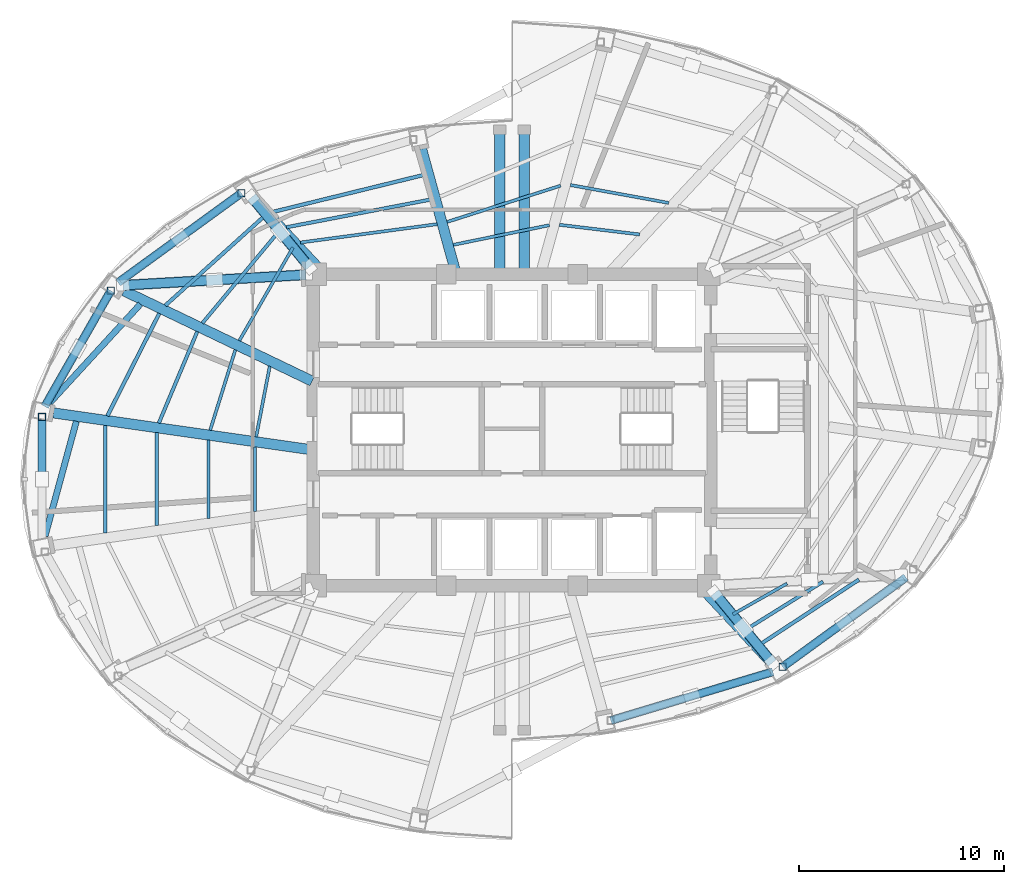
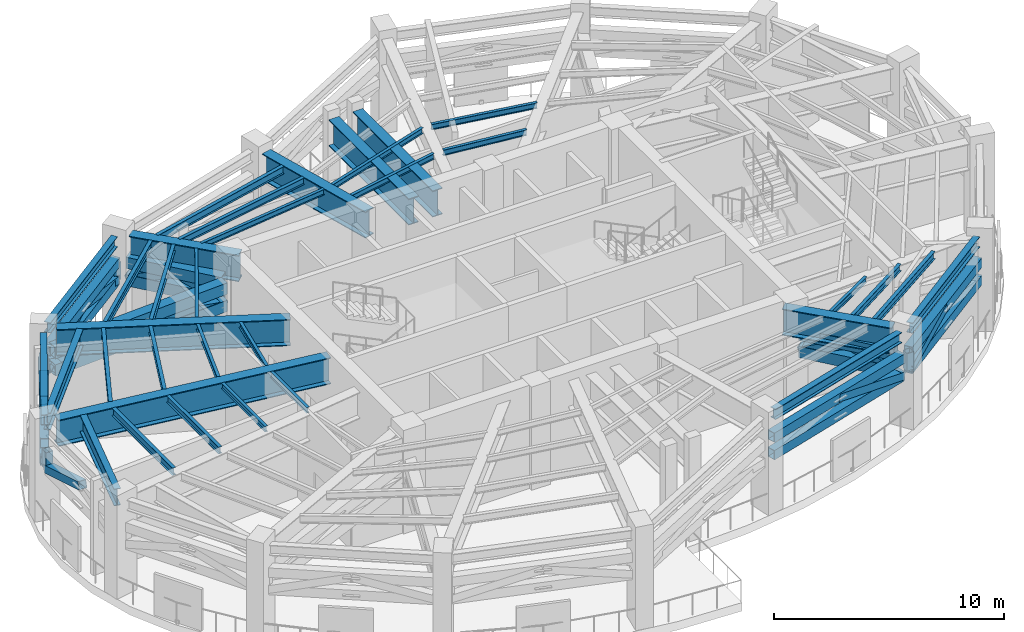
# One storey, part 3 of 12: 34 beams, 31 members.
"""IFC4 building model written with IfcOpenShell, lengths in metres."""

import ifcopenshell
import ifcopenshell.guid

model = None  # the IFC model being written
_history = None  # IfcOwnerHistory: only IFC2X3 demands one
_inside = {}  # id of a spatial element -> (the spatial element, [elements in it])
_under = {}  # id of a project, library or spatial element -> (it, [spatial elements below it])
_declared = {}  # id of a project -> (the project, [libraries it declares])
_typed = {}  # id of a type object -> (the type object, [elements of that type])
_made_of = {}  # id of a material, layer set ... -> (it, [elements and type objects made of it])


def new_model(schema):
    """Start an empty IFC model of exactly this schema.

    Asked for "IFC4X3", IfcOpenShell would pick the latest addendum, in which some entities
    have other attributes; the version numbers below select the first issue.
    IFC2X3 requires an IfcOwnerHistory on every rooted entity: one is made here for all.
    """
    global model, _history
    if schema == "IFC4X3":
        model = ifcopenshell.file(schema_version=(4, 3, 0, 0))
    else:
        model = ifcopenshell.file(schema=schema)
    _inside.clear()
    _under.clear()
    _declared.clear()
    _typed.clear()
    _made_of.clear()
    _history = None
    if model.schema == "IFC2X3":
        org = make("IfcOrganization", Name="unknown")
        user = make(
            "IfcPersonAndOrganization",
            ThePerson=make("IfcPerson", FamilyName="unknown"),
            TheOrganization=org,
        )
        app = make(
            "IfcApplication",
            ApplicationDeveloper=org,
            Version="unknown",
            ApplicationFullName="unknown",
            ApplicationIdentifier="unknown",
        )
        _history = make(
            "IfcOwnerHistory",
            OwningUser=user,
            OwningApplication=app,
            ChangeAction="ADDED",
            CreationDate=0,
        )
    return model


def make(cls, **values):
    """One entity of the class cls with the attributes given. An attribute that is None is left unset."""
    return model.create_entity(
        cls, **{name: value for name, value in values.items() if value is not None}
    )


def rooted(cls, **values):
    """An entity with a GlobalId (a new one), such as an element, a storey or a relation."""
    return make(cls, GlobalId=ifcopenshell.guid.new(), OwnerHistory=_history, **values)


def si_unit(unit_type, name, prefix=None):
    """IfcSIUnit, for example si_unit("LENGTHUNIT", "METRE", prefix="MILLI")."""
    return make("IfcSIUnit", UnitType=unit_type, Prefix=prefix, Name=name)


def assignment(units):
    """IfcUnitAssignment: the units of a project."""
    return None if units is None else make("IfcUnitAssignment", Units=units)


def point(xyz):
    """IfcCartesianPoint."""
    return None if xyz is None else make("IfcCartesianPoint", Coordinates=xyz)


def direction(xyz):
    """IfcDirection."""
    return None if xyz is None else make("IfcDirection", DirectionRatios=xyz)


def frame(location, z_axis=None, x_axis=None):
    """IfcAxis2Placement3D, a coordinate frame: its origin and axes. An axis left out is left unset."""
    return make(
        "IfcAxis2Placement3D",
        Location=point(location),
        Axis=direction(z_axis),
        RefDirection=direction(x_axis),
    )


def frame_2d(location, x_axis=None):
    """IfcAxis2Placement2D, a coordinate frame in the plane: its origin and x axis."""
    return make(
        "IfcAxis2Placement2D", Location=point(location), RefDirection=direction(x_axis)
    )


def origin():
    """The frame at (0, 0, 0) with its axes left unset."""
    return frame((0.0, 0.0, 0.0))


def origin_2d():
    """The frame at (0, 0) in the plane with its x axis left unset."""
    return frame_2d((0.0, 0.0))


def place(relative_to, where):
    """IfcLocalPlacement: puts the frame where relative to a parent placement (None: the world)."""
    return make(
        "IfcLocalPlacement", PlacementRelTo=relative_to, RelativePlacement=where
    )


def context(
    kind, dimensions, precision=None, world=None, true_north=None, identifier=None
):
    """IfcGeometricRepresentationContext, for example the 3D "Model" context."""
    return make(
        "IfcGeometricRepresentationContext",
        ContextIdentifier=identifier,
        ContextType=kind,
        CoordinateSpaceDimension=dimensions,
        Precision=precision,
        WorldCoordinateSystem=world,
        TrueNorth=true_north,
    )


def subcontext(parent, identifier, kind, view, scale=None):
    """IfcGeometricRepresentationSubContext, for example "Body" below "Model"."""
    return make(
        "IfcGeometricRepresentationSubContext",
        ContextIdentifier=identifier,
        ContextType=kind,
        ParentContext=parent,
        TargetScale=scale,
        TargetView=view,
    )


def project(units=None, contexts=None):
    """IfcProject with its units and contexts."""
    return rooted(
        "IfcProject",
        Name="project",
        RepresentationContexts=contexts,
        UnitsInContext=assignment(units),
    )


def spatial(cls, under=None, at=None, **own):
    """A site, building, storey or space (cls), placed at a placement, below another one or the project."""
    s = rooted(cls, ObjectPlacement=at, **own)
    if under is not None:
        _under.setdefault(under.id(), (under, []))[1].append(s)
    return s


def profile(cls, at=None, kind="AREA", **sizes):
    """A parametric profile (cls). Its sizes go by their IFC names, for example OverallWidth=200.0."""
    return make(cls, ProfileType=kind, Position=at, **sizes)


def hollow_rectangle(**sizes):
    """IfcRectangleHollowProfileDef."""
    return profile("IfcRectangleHollowProfileDef", **sizes)


def i_section(**sizes):
    """IfcIShapeProfileDef."""
    return profile("IfcIShapeProfileDef", **sizes)


def extrude(swept, where, along, depth):
    """IfcExtrudedAreaSolid: the profile swept, set in the frame where, extruded along a direction by depth."""
    return make(
        "IfcExtrudedAreaSolid",
        SweptArea=swept,
        Position=where,
        ExtrudedDirection=direction(along),
        Depth=depth,
    )


def shape(context_of_items, identifier, shape_type, items):
    """IfcShapeRepresentation: the items that make up one representation, for example the "Body"."""
    return make(
        "IfcShapeRepresentation",
        ContextOfItems=context_of_items,
        RepresentationIdentifier=identifier,
        RepresentationType=shape_type,
        Items=items,
    )


def material(Name=None, Category=None):
    """IfcMaterial."""
    return make("IfcMaterial", Name=Name, Category=Category)


def material_profile(
    of_material, cross_section, Name=None, Category=None, Priority=None
):
    """IfcMaterialProfile: a cross section and its material."""
    return make(
        "IfcMaterialProfile",
        Name=Name,
        Material=of_material,
        Profile=cross_section,
        Priority=Priority,
        Category=Category,
    )


def profile_set(profiles, Name=None, composite=None):
    """IfcMaterialProfileSet."""
    return make(
        "IfcMaterialProfileSet",
        Name=Name,
        MaterialProfiles=profiles,
        CompositeProfile=composite,
    )


def made_of(thing, what):
    """Note that an element or type object is made of a material, layer set ...; save() writes the relation."""
    if what is not None:
        _made_of.setdefault(what.id(), (what, []))[1].append(thing)
    return thing


def type_object(cls, material=None, **own):
    """A type object (cls), such as IfcWallType, which elements share."""
    return made_of(rooted(cls, **own), material)


def element(
    cls,
    number,
    at=None,
    inside=None,
    cuts=None,
    type_object=None,
    material=None,
    context=None,
    identifier="Body",
    shape_type=None,
    held_by="IfcProductDefinitionShape",
    body=None,
    shapes=None,
    **own,
):
    """One element of the class cls, such as IfcWall. Its Tag is "e" and its number.

    at: its placement. inside: the storey or other place that contains it. cuts: it is an
    opening in that element (IfcRelVoidsElement). A single representation is given by context,
    identifier, shape_type and body (its items); several are given by shapes. held_by: the class
    of the entity that holds the representations. save() writes the other relations.
    """
    e = rooted(cls, Tag="e%d" % number, ObjectPlacement=at, **own)
    if body is not None:
        shapes = [shape(context, identifier, shape_type, body)]
    if shapes is not None:
        e.Representation = make(held_by, Representations=shapes)
    if inside is not None:
        _inside.setdefault(inside.id(), (inside, []))[1].append(e)
    if cuts is not None:
        rooted(
            "IfcRelVoidsElement", RelatingBuildingElement=cuts, RelatedOpeningElement=e
        )
    if type_object is not None:
        _typed.setdefault(type_object.id(), (type_object, []))[1].append(e)
    return made_of(e, material)


def aggregate(whole, parts):
    """IfcRelAggregates: a whole, such as a stair, and the parts it consists of."""
    return rooted("IfcRelAggregates", RelatingObject=whole, RelatedObjects=parts)


def save(model, path):
    """Write the relations noted so far, then the file.

    IfcRelAggregates (storeys below a building ...), IfcRelContainedInSpatialStructure (elements
    in a storey), IfcRelDefinesByType, IfcRelAssociatesMaterial and IfcRelDeclares: one each for
    every whole, place, type object, material and project.
    """
    for whole, parts in _under.values():
        aggregate(whole, parts)
    for where, things in _inside.values():
        rooted(
            "IfcRelContainedInSpatialStructure",
            RelatedElements=things,
            RelatingStructure=where,
        )
    for kind, things in _typed.values():
        rooted("IfcRelDefinesByType", RelatedObjects=things, RelatingType=kind)
    for what, things in _made_of.values():
        rooted("IfcRelAssociatesMaterial", RelatedObjects=things, RelatingMaterial=what)
    for by, libraries in _declared.values():
        rooted("IfcRelDeclares", RelatingContext=by, RelatedDefinitions=libraries)
    model.write(path)


model = new_model("IFC4")

# Units and contexts
model_context = context("Model", 3, precision=1e-05, world=origin(), true_north=direction((0.0, 1.0)))
body_context = subcontext(model_context, "Body", "Model", "MODEL_VIEW")
ifc_project = project(units=[si_unit("LENGTHUNIT", "METRE"), si_unit("AREAUNIT", "SQUARE_METRE"), si_unit("VOLUMEUNIT", "CUBIC_METRE"), si_unit("PLANEANGLEUNIT", "RADIAN"), si_unit("MASSUNIT", "GRAM", prefix="KILO")], contexts=[model_context])

# Site, building, storey
site_placement = place(None, origin())
site = spatial("IfcSite", under=ifc_project, at=site_placement, CompositionType="ELEMENT")
building_placement = place(site_placement, origin())
building = spatial("IfcBuilding", under=site, at=building_placement, Name="Lazwardi Medical Tower", CompositionType="ELEMENT")
storey_placement = place(building_placement, frame((0.0, 0.0, 189.360107421875)))
storey = spatial("IfcBuildingStorey", under=building, at=storey_placement, Name="L49", CompositionType="ELEMENT", Elevation=189.360107421875)

# Beams
ifc_material_1 = material(Name="Steel S460", Category="steel")
ifc_material_profile_1 = material_profile(ifc_material_1, i_section(OverallWidth=0.300048828125, OverallDepth=0.89990234375, WebThickness=0.0185546875, FlangeThickness=0.034912109375, at=origin_2d()), Name="HEB 900")
ifc_profile_set_1 = profile_set([ifc_material_profile_1], Name="Steel S460")
beam_type_1 = type_object("IfcBeamType", Name="BM-HB-01", PredefinedType="BEAM", material=ifc_profile_set_1)
beam_1_placement = place(storey_placement, frame((17.87451171875, 34.14208984375, 4.57177734375), z_axis=(-0.676160687029, -0.736754182422, 0.0), x_axis=(0.736754182422, -0.676160687029, 0.0)))
element("IfcBeam", 1, at=beam_1_placement, inside=storey, type_object=beam_type_1, Name="Transfer girder tie HB-01 M11 L49", PredefinedType="BEAM", context=body_context, shape_type="SweptSolid", body=[
    extrude(i_section(OverallWidth=0.300048828125, OverallDepth=0.89990234375, WebThickness=0.0185546875, FlangeThickness=0.034912109375, at=origin_2d()), origin(), (0.0, 0.0, 1.0), 6.539306640625),
])
beam_2_placement = place(storey_placement, frame((14.75048828125, 28.426513671875, 4.57177734375), z_axis=(-0.263455584705, -0.96467152694, 0.0), x_axis=(0.96467152694, -0.263455584705, 0.0)))
element("IfcBeam", 2, at=beam_2_placement, inside=storey, type_object=beam_type_1, Name="Transfer girder tie HB-01 M12 L49", PredefinedType="BEAM", context=body_context, shape_type="SweptSolid", body=[
    extrude(i_section(OverallWidth=0.300048828125, OverallDepth=0.89990234375, WebThickness=0.0185546875, FlangeThickness=0.034912109375, at=origin_2d()), origin(), (0.0, 0.0, 1.0), 5.802978515625),
])
ifc_material_2 = material(Name="Steel S355", Category="steel")
ifc_material_profile_2 = material_profile(ifc_material_2, i_section(OverallWidth=0.300048828125, OverallDepth=0.550048828125, WebThickness=0.014892578125, FlangeThickness=0.029052734375, at=origin_2d()), Name="HEB 550")
ifc_profile_set_2 = profile_set([ifc_material_profile_2], Name="Steel S355")
beam_type_2 = type_object("IfcBeamType", Name="BM-RB-Z3", PredefinedType="BEAM", material=ifc_profile_set_2)
beam_3_placement = place(storey_placement, frame((40.943115234375, 13.866455078125, 4.746826171875), z_axis=(0.957616873483, 0.288045002771, 0.0), x_axis=(-0.288045002771, 0.957616873483, 0.0)))
element("IfcBeam", 3, at=beam_3_placement, inside=storey, type_object=beam_type_2, Name="Ring beam RB-04 B01 L49", PredefinedType="BEAM", context=body_context, shape_type="SweptSolid", body=[
    extrude(i_section(OverallWidth=0.300048828125, OverallDepth=0.550048828125, WebThickness=0.014892578125, FlangeThickness=0.029052734375, at=origin_2d()), origin(), (0.0, 0.0, 1.0), 7.99951171875),
])
for number, where, z_axis, x_axis, name in (
    (4, (49.310302734375, 16.520751953125, 4.746826171875), (0.809127570774, 0.587633026824, 0.0), (-0.587633026824, 0.809127570774, 0.0), "Ring beam RB-04 B02 L49"),
    (5, (22.689697265625, 39.479248046875, 4.746826171875), (-0.809127570774, -0.587633026824, 0.0), (0.587633026824, -0.809127570774, 0.0), "Ring beam RB-04 B10 L49"),
):
    element("IfcBeam", number, at=place(storey_placement, frame(where, z_axis=z_axis, x_axis=x_axis)), inside=storey, type_object=beam_type_2, Name=name, PredefinedType="BEAM", context=body_context, shape_type="SweptSolid", body=[
        extrude(i_section(OverallWidth=0.300048828125, OverallDepth=0.550048828125, WebThickness=0.014892578125, FlangeThickness=0.029052734375, at=origin_2d()), origin(), (0.0, 0.0, 1.0), 7.170166015625),
    ])
beam_4_placement = place(storey_placement, frame((16.3662109375, 34.683349609375, 4.746826171875), z_axis=(-0.495477752551, -0.868620628771, 0.0), x_axis=(0.868620628771, -0.495477752551, 0.0)))
element("IfcBeam", 6, at=beam_4_placement, inside=storey, type_object=beam_type_2, Name="Ring beam RB-04 B11 L49", PredefinedType="BEAM", context=body_context, shape_type="SweptSolid", body=[
    extrude(i_section(OverallWidth=0.300048828125, OverallDepth=0.550048828125, WebThickness=0.014892578125, FlangeThickness=0.029052734375, at=origin_2d()), origin(), (0.0, 0.0, 1.0), 6.244384765625),
])
ifc_material_profile_3 = material_profile(ifc_material_2, i_section(OverallWidth=0.179931640625, OverallDepth=0.39990234375, WebThickness=0.008544921875, FlangeThickness=0.013427734375, at=origin_2d()), Name="IPE 400")
ifc_profile_set_3 = profile_set([ifc_material_profile_3], Name="Steel S355")
beam_type_3 = type_object("IfcBeamType", Name="BM-SJ-01", PredefinedType="JOIST", material=ifc_profile_set_3)
beam_5_placement = place(storey_placement, frame((48.130126953125, 17.560791015625, 4.82177734375), z_axis=(0.836428801913, 0.548075596364, 0.0), x_axis=(-0.548075596364, 0.836428801913, 0.0)))
element("IfcBeam", 7, at=beam_5_placement, inside=storey, type_object=beam_type_3, Name="Secondary joist SJ-01 R1 B02 L49", PredefinedType="JOIST", context=body_context, shape_type="SweptSolid", body=[
    extrude(i_section(OverallWidth=0.179931640625, OverallDepth=0.39990234375, WebThickness=0.008544921875, FlangeThickness=0.013427734375, at=origin_2d()), origin(), (0.0, 0.0, 1.0), 5.730224609375),
])
beam_6_placement = place(storey_placement, frame((31.686767578125, 40.43896484375, 4.82177734375), z_axis=(-0.971251959151, -0.238053842325, 0.0), x_axis=(0.238053842325, -0.971251959151, 0.0)))
element("IfcBeam", 8, at=beam_6_placement, inside=storey, type_object=beam_type_3, Name="Secondary joist SJ-01 R1 B09 L49", PredefinedType="JOIST", context=body_context, shape_type="SweptSolid", body=[
    extrude(i_section(OverallWidth=0.179931640625, OverallDepth=0.39990234375, WebThickness=0.008544921875, FlangeThickness=0.013427734375, at=origin_2d()), origin(), (0.0, 0.0, 1.0), 7.59228515625),
])
beam_7_placement = place(storey_placement, frame((23.892822265625, 38.4091796875, 4.82177734375), z_axis=(-0.742312591015, -0.670053742039, 0.0), x_axis=(0.670053742039, -0.742312591015, 0.0)))
element("IfcBeam", 9, at=beam_7_placement, inside=storey, type_object=beam_type_3, Name="Secondary joist SJ-01 R1 B10 L49", PredefinedType="JOIST", context=body_context, shape_type="SweptSolid", body=[
    extrude(i_section(OverallWidth=0.179931640625, OverallDepth=0.39990234375, WebThickness=0.008544921875, FlangeThickness=0.013427734375, at=origin_2d()), origin(), (0.0, 0.0, 1.0), 6.4736328125),
])
beam_8_placement = place(storey_placement, frame((18.794921875, 33.688720703125, 4.82177734375), z_axis=(-0.451808992134, -0.892114698134, 0.0), x_axis=(0.892114698134, -0.451808992134, 0.0)))
element("IfcBeam", 10, at=beam_8_placement, inside=storey, type_object=beam_type_3, Name="Secondary joist SJ-01 R1 B11 L49", PredefinedType="JOIST", context=body_context, shape_type="SweptSolid", body=[
    extrude(i_section(OverallWidth=0.179931640625, OverallDepth=0.39990234375, WebThickness=0.008544921875, FlangeThickness=0.013427734375, at=origin_2d()), origin(), (0.0, 0.0, 1.0), 5.60302734375),
])
beam_9_placement = place(storey_placement, frame((16.15283203125, 28.226806640625, 4.82177734375), z_axis=(0.0, -1.0, 0.0), x_axis=(1.0, 0.0, 0.0)))
element("IfcBeam", 11, at=beam_9_placement, inside=storey, type_object=beam_type_3, Name="Secondary joist SJ-01 R1 B12 L49", PredefinedType="JOIST", context=body_context, shape_type="SweptSolid", body=[
    extrude(i_section(OverallWidth=0.179931640625, OverallDepth=0.39990234375, WebThickness=0.008544921875, FlangeThickness=0.013427734375, at=origin_2d()), origin(), (0.0, 0.0, 1.0), 5.25341796875),
])
ifc_material_profile_4 = material_profile(ifc_material_2, i_section(OverallWidth=0.169921875, OverallDepth=0.360107421875, WebThickness=0.008056640625, FlangeThickness=0.0126953125, at=origin_2d()), Name="IPE 360")
ifc_profile_set_4 = profile_set([ifc_material_profile_4], Name="Steel S355")
beam_type_4 = type_object("IfcBeamType", Name="BM-SJ-02", PredefinedType="JOIST", material=ifc_profile_set_4)
beam_10_placement = place(storey_placement, frame((47.453125, 18.287109375, 4.841796875), z_axis=(0.848658136379, 0.528941743066, 0.0), x_axis=(-0.528941743066, 0.848658136379, 0.0)))
element("IfcBeam", 12, at=beam_10_placement, inside=storey, type_object=beam_type_4, Name="Secondary joist SJ-02 R2 B02 L49", PredefinedType="JOIST", context=body_context, shape_type="SweptSolid", body=[
    extrude(i_section(OverallWidth=0.169921875, OverallDepth=0.360107421875, WebThickness=0.008056640625, FlangeThickness=0.0126953125, at=origin_2d()), origin(), (0.0, 0.0, 1.0), 4.381591796875),
])
beam_11_placement = place(storey_placement, frame((32.01953125, 39.2392578125, 4.841796875), z_axis=(-0.98201837426, -0.188785361233, 0.0), x_axis=(0.188785361233, -0.98201837426, 0.0)))
element("IfcBeam", 13, at=beam_11_placement, inside=storey, type_object=beam_type_4, Name="Secondary joist SJ-02 R2 B09 L49", PredefinedType="JOIST", context=body_context, shape_type="SweptSolid", body=[
    extrude(i_section(OverallWidth=0.169921875, OverallDepth=0.360107421875, WebThickness=0.008056640625, FlangeThickness=0.0126953125, at=origin_2d()), origin(), (0.0, 0.0, 1.0), 7.15283203125),
])
beam_12_placement = place(storey_placement, frame((24.597900390625, 37.654296875, 4.841796875), z_axis=(-0.640134535673, -0.768262830182, 0.0), x_axis=(0.768262830182, -0.640134535673, 0.0)))
element("IfcBeam", 14, at=beam_12_placement, inside=storey, type_object=beam_type_4, Name="Secondary joist SJ-02 R2 B10 L49", PredefinedType="JOIST", context=body_context, shape_type="SweptSolid", body=[
    extrude(i_section(OverallWidth=0.169921875, OverallDepth=0.360107421875, WebThickness=0.008056640625, FlangeThickness=0.0126953125, at=origin_2d()), origin(), (0.0, 0.0, 1.0), 5.779296875),
])
beam_13_placement = place(storey_placement, frame((20.646728515625, 32.80029296875, 4.841796875), z_axis=(-0.387256490624, -0.921972022607, 0.0), x_axis=(0.921972022607, -0.387256490624, 0.0)))
element("IfcBeam", 15, at=beam_13_placement, inside=storey, type_object=beam_type_4, Name="Secondary joist SJ-02 R2 B11 L49", PredefinedType="JOIST", context=body_context, shape_type="SweptSolid", body=[
    extrude(i_section(OverallWidth=0.169921875, OverallDepth=0.360107421875, WebThickness=0.008056640625, FlangeThickness=0.0126953125, at=origin_2d()), origin(), (0.0, 0.0, 1.0), 4.841064453125),
])
beam_14_placement = place(storey_placement, frame((18.677001953125, 27.865966796875, 4.841796875), z_axis=(0.0, -1.0, 0.0), x_axis=(1.0, 0.0, 0.0)))
element("IfcBeam", 16, at=beam_14_placement, inside=storey, type_object=beam_type_4, Name="Secondary joist SJ-02 R2 B12 L49", PredefinedType="JOIST", context=body_context, shape_type="SweptSolid", body=[
    extrude(i_section(OverallWidth=0.169921875, OverallDepth=0.360107421875, WebThickness=0.008056640625, FlangeThickness=0.0126953125, at=origin_2d()), origin(), (0.0, 0.0, 1.0), 4.531982421875),
])
ifc_material_profile_5 = material_profile(ifc_material_2, i_section(OverallWidth=0.14990234375, OverallDepth=0.300048828125, WebThickness=0.007080078125, FlangeThickness=0.0107421875, at=origin_2d()), Name="IPE 300")
ifc_profile_set_5 = profile_set([ifc_material_profile_5], Name="Steel S355")
beam_type_5 = type_object("IfcBeamType", Name="BM-SJ-03", PredefinedType="JOIST", material=ifc_profile_set_5)
beam_15_placement = place(storey_placement, frame((46.7783203125, 19.009521484375, 4.871826171875), z_axis=(0.869067920976, 0.49469278217, 0.0), x_axis=(-0.49469278217, 0.869067920976, 0.0)))
element("IfcBeam", 17, at=beam_15_placement, inside=storey, type_object=beam_type_5, Name="Secondary joist SJ-03 R3 B02 L49", PredefinedType="JOIST", context=body_context, shape_type="SweptSolid", body=[
    extrude(i_section(OverallWidth=0.14990234375, OverallDepth=0.300048828125, WebThickness=0.007080078125, FlangeThickness=0.0107421875, at=origin_2d()), origin(), (0.0, 0.0, 1.0), 3.03759765625),
])
beam_16_placement = place(storey_placement, frame((43.64501953125, 39.07568359375, 4.871826171875), z_axis=(-0.98380254454, 0.179255553209, 0.0), x_axis=(-0.179255553209, -0.98380254454, 0.0)))
element("IfcBeam", 18, at=beam_16_placement, inside=storey, type_object=beam_type_5, Name="Secondary joist SJ-03 R3 B07 L49", PredefinedType="JOIST", context=body_context, shape_type="SweptSolid", body=[
    extrude(i_section(OverallWidth=0.14990234375, OverallDepth=0.300048828125, WebThickness=0.007080078125, FlangeThickness=0.0107421875, at=origin_2d()), origin(), (0.0, 0.0, 1.0), 4.875732421875),
])
beam_17_placement = place(storey_placement, frame((38.37353515625, 39.919189453125, 4.871826171875), z_axis=(-0.952584735239, -0.304273433264, 0.0), x_axis=(0.304273433264, -0.952584735239, 0.0)))
element("IfcBeam", 19, at=beam_17_placement, inside=storey, type_object=beam_type_5, Name="Secondary joist SJ-03 R3 B08 L49", PredefinedType="JOIST", context=body_context, shape_type="SweptSolid", body=[
    extrude(i_section(OverallWidth=0.14990234375, OverallDepth=0.300048828125, WebThickness=0.007080078125, FlangeThickness=0.0107421875, at=origin_2d()), origin(), (0.0, 0.0, 1.0), 5.8203125),
])
beam_18_placement = place(storey_placement, frame((32.352783203125, 38.041015625, 4.871826171875), z_axis=(-0.991097306828, -0.133139507277, 0.0), x_axis=(0.133139507277, -0.991097306828, 0.0)))
element("IfcBeam", 20, at=beam_18_placement, inside=storey, type_object=beam_type_5, Name="Secondary joist SJ-03 R3 B09 L49", PredefinedType="JOIST", context=body_context, shape_type="SweptSolid", body=[
    extrude(i_section(OverallWidth=0.14990234375, OverallDepth=0.300048828125, WebThickness=0.007080078125, FlangeThickness=0.0107421875, at=origin_2d()), origin(), (0.0, 0.0, 1.0), 6.7353515625),
])
beam_19_placement = place(storey_placement, frame((25.3125, 36.8994140625, 4.871826171875), z_axis=(-0.498600679768, -0.866831795757, 0.0), x_axis=(0.866831795757, -0.498600679768, 0.0)))
element("IfcBeam", 21, at=beam_19_placement, inside=storey, type_object=beam_type_5, Name="Secondary joist SJ-03 R3 B10 L49", PredefinedType="JOIST", context=body_context, shape_type="SweptSolid", body=[
    extrude(i_section(OverallWidth=0.14990234375, OverallDepth=0.300048828125, WebThickness=0.007080078125, FlangeThickness=0.0107421875, at=origin_2d()), origin(), (0.0, 0.0, 1.0), 5.23974609375),
])
beam_20_placement = place(storey_placement, frame((22.50439453125, 31.9111328125, 4.871826171875), z_axis=(-0.298822173671, -0.954308811927, 0.0), x_axis=(0.954308811927, -0.298822173671, 0.0)))
element("IfcBeam", 22, at=beam_20_placement, inside=storey, type_object=beam_type_5, Name="Secondary joist SJ-03 R3 B11 L49", PredefinedType="JOIST", context=body_context, shape_type="SweptSolid", body=[
    extrude(i_section(OverallWidth=0.14990234375, OverallDepth=0.300048828125, WebThickness=0.007080078125, FlangeThickness=0.0107421875, at=origin_2d()), origin(), (0.0, 0.0, 1.0), 4.115234375),
])
beam_21_placement = place(storey_placement, frame((21.201416015625, 27.505126953125, 4.871826171875), z_axis=(0.0, -1.0, 0.0), x_axis=(1.0, 0.0, 0.0)))
element("IfcBeam", 23, at=beam_21_placement, inside=storey, type_object=beam_type_5, Name="Secondary joist SJ-03 R3 B12 L49", PredefinedType="JOIST", context=body_context, shape_type="SweptSolid", body=[
    extrude(i_section(OverallWidth=0.14990234375, OverallDepth=0.300048828125, WebThickness=0.007080078125, FlangeThickness=0.0107421875, at=origin_2d()), origin(), (0.0, 0.0, 1.0), 3.810302734375),
])
beam_22_placement = place(storey_placement, frame((42.227294921875, 37.5390625, 4.871826171875), z_axis=(-0.992861315187, 0.119274510292, 0.0), x_axis=(-0.119274510292, -0.992861315187, 0.0)))
element("IfcBeam", 24, at=beam_22_placement, inside=storey, type_object=beam_type_5, Name="Secondary joist SJ-03 R4 B07 L49", PredefinedType="JOIST", context=body_context, shape_type="SweptSolid", body=[
    extrude(i_section(OverallWidth=0.14990234375, OverallDepth=0.300048828125, WebThickness=0.007080078125, FlangeThickness=0.0107421875, at=origin_2d()), origin(), (0.0, 0.0, 1.0), 3.9462890625),
])
beam_23_placement = place(storey_placement, frame((37.82568359375, 37.989990234375, 4.871826171875), z_axis=(-0.979751798264, -0.200215917945, 0.0), x_axis=(0.200215917945, -0.979751798264, 0.0)))
element("IfcBeam", 25, at=beam_23_placement, inside=storey, type_object=beam_type_5, Name="Secondary joist SJ-03 R4 B08 L49", PredefinedType="JOIST", context=body_context, shape_type="SweptSolid", body=[
    extrude(i_section(OverallWidth=0.14990234375, OverallDepth=0.300048828125, WebThickness=0.007080078125, FlangeThickness=0.0107421875, at=origin_2d()), origin(), (0.0, 0.0, 1.0), 4.784912109375),
])
beam_24_placement = place(storey_placement, frame((24.183837890625, 31.111328125, 4.871826171875), z_axis=(-0.189260296962, -0.981926952473, 0.0), x_axis=(0.981926952473, -0.189260296962, 0.0)))
element("IfcBeam", 26, at=beam_24_placement, inside=storey, type_object=beam_type_5, Name="Secondary joist SJ-03 R4 B11 L49", PredefinedType="JOIST", context=body_context, shape_type="SweptSolid", body=[
    extrude(i_section(OverallWidth=0.14990234375, OverallDepth=0.300048828125, WebThickness=0.007080078125, FlangeThickness=0.0107421875, at=origin_2d()), origin(), (0.0, 0.0, 1.0), 3.5087890625),
])
beam_25_placement = place(storey_placement, frame((23.473388671875, 27.180419921875, 4.871826171875), z_axis=(0.0, -1.0, 0.0), x_axis=(1.0, 0.0, 0.0)))
element("IfcBeam", 27, at=beam_25_placement, inside=storey, type_object=beam_type_5, Name="Secondary joist SJ-03 R4 B12 L49", PredefinedType="JOIST", context=body_context, shape_type="SweptSolid", body=[
    extrude(i_section(OverallWidth=0.14990234375, OverallDepth=0.300048828125, WebThickness=0.007080078125, FlangeThickness=0.0107421875, at=origin_2d()), origin(), (0.0, 0.0, 1.0), 3.160888671875),
])
ifc_material_profile_6 = material_profile(ifc_material_1, i_section(OverallWidth=0.5, OverallDepth=1.39990234375, WebThickness=0.028076171875, FlangeThickness=0.044921875, at=origin_2d()), Name="PG 1400x500")
ifc_profile_set_6 = profile_set([ifc_material_profile_6], Name="Steel S460")
beam_type_6 = type_object("IfcBeamType", Name="BM-TG-01", PredefinedType="BEAM", material=ifc_profile_set_6)
for number, where, z_axis, x_axis, name in (
    (28, (35.39990234375, 42.43994140625, 4.32177734375), (0.0, -1.0, 0.0), (1.0, 0.0, 0.0), "Transfer girder TG-01 PL1 L49"),
    (29, (36.60009765625, 42.43994140625, 4.32177734375), (0.0, -1.0, 0.0), (1.0, 0.0, 0.0), "Transfer girder TG-01 PL2 L49"),
):
    element("IfcBeam", number, at=place(storey_placement, frame(where, z_axis=z_axis, x_axis=x_axis)), inside=storey, type_object=beam_type_6, Name=name, PredefinedType="BEAM", context=body_context, shape_type="SweptSolid", body=[
        extrude(i_section(OverallWidth=0.5, OverallDepth=1.39990234375, WebThickness=0.028076171875, FlangeThickness=0.044921875, at=origin_2d()), origin(), (0.0, 0.0, 1.0), 6.93994140625),
    ])
beam_26_placement = place(storey_placement, frame((48.60498046875, 16.69580078125, 4.32177734375), z_axis=(-0.681111260749, 0.7321799304, 0.0), x_axis=(-0.7321799304, -0.681111260749, 0.0)))
element("IfcBeam", 30, at=beam_26_placement, inside=storey, type_object=beam_type_6, Name="Transfer girder TG-01 M02 L49", PredefinedType="BEAM", context=body_context, shape_type="SweptSolid", body=[
    extrude(i_section(OverallWidth=0.5, OverallDepth=1.39990234375, WebThickness=0.028076171875, FlangeThickness=0.044921875, at=origin_2d()), origin(), (0.0, 0.0, 1.0), 4.990966796875),
])
beam_27_placement = place(storey_placement, frame((31.589111328125, 41.708984375, 4.32177734375), z_axis=(0.266818601301, -0.963746768607, 0.0), x_axis=(0.963746768607, 0.266818601301, 0.0)))
element("IfcBeam", 31, at=beam_27_placement, inside=storey, type_object=beam_type_6, Name="Transfer girder TG-01 M09 L49", PredefinedType="BEAM", context=body_context, shape_type="SweptSolid", body=[
    extrude(i_section(OverallWidth=0.5, OverallDepth=1.39990234375, WebThickness=0.028076171875, FlangeThickness=0.044921875, at=origin_2d()), origin(), (0.0, 0.0, 1.0), 6.287109375),
])
beam_28_placement = place(storey_placement, frame((23.39501953125, 39.30419921875, 4.32177734375), z_axis=(0.681111260749, -0.7321799304, 0.0), x_axis=(0.7321799304, 0.681111260749, 0.0)))
element("IfcBeam", 32, at=beam_28_placement, inside=storey, type_object=beam_type_6, Name="Transfer girder TG-01 M10 L49", PredefinedType="BEAM", context=body_context, shape_type="SweptSolid", body=[
    extrude(i_section(OverallWidth=0.5, OverallDepth=1.39990234375, WebThickness=0.028076171875, FlangeThickness=0.044921875, at=origin_2d()), origin(), (0.0, 0.0, 1.0), 4.990966796875),
])
beam_29_placement = place(storey_placement, frame((17.0693359375, 34.78857421875, 4.32177734375), z_axis=(0.901550366428, -0.432674169315, 0.0), x_axis=(0.432674169315, 0.901550366428, 0.0)))
element("IfcBeam", 33, at=beam_29_placement, inside=storey, type_object=beam_type_6, Name="Transfer girder TG-01 M11 L49", PredefinedType="BEAM", context=body_context, shape_type="SweptSolid", body=[
    extrude(i_section(OverallWidth=0.5, OverallDepth=1.39990234375, WebThickness=0.028076171875, FlangeThickness=0.044921875, at=origin_2d()), origin(), (0.0, 0.0, 1.0), 10.18310546875),
])
beam_30_placement = place(storey_placement, frame((13.62841796875, 28.83251953125, 4.32177734375), z_axis=(0.989942599001, -0.141469610457, 0.0), x_axis=(0.141469610457, 0.989942599001, 0.0)))
element("IfcBeam", 34, at=beam_30_placement, inside=storey, type_object=beam_type_6, Name="Transfer girder TG-01 M12 L49", PredefinedType="BEAM", context=body_context, shape_type="SweptSolid", body=[
    extrude(i_section(OverallWidth=0.5, OverallDepth=1.39990234375, WebThickness=0.028076171875, FlangeThickness=0.044921875, at=origin_2d()), origin(), (0.0, 0.0, 1.0), 12.749755859375),
])

# Members
ifc_material_profile_7 = material_profile(ifc_material_1, hollow_rectangle(XDim=0.39990234375, YDim=0.5, WallThickness=0.02490234375, at=origin_2d()), Name="RHS 500x400x25")
ifc_profile_set_7 = profile_set([ifc_material_profile_7], Name="Steel S460")
member_type_1 = type_object("IfcMemberType", Name="MEM-BC-01", PredefinedType="CHORD", material=ifc_profile_set_7)
for number, where, z_axis, x_axis, name in (
    (35, (40.81884765625, 13.8291015625, 2.679931640625), (0.957618568335, 0.288039368108, 0.0), (-0.288039368108, 0.957618568335, 0.0), "Belt truss bottom chord BC-01 B01 L49"),
    (36, (40.81884765625, 13.8291015625, 3.599853515625), (0.957618568335, 0.288039368108, 0.0), (-0.288039368108, 0.957618568335, 0.0), "Belt truss top chord BC-01 B01 L49"),
):
    element("IfcMember", number, at=place(storey_placement, frame(where, z_axis=z_axis, x_axis=x_axis)), inside=storey, type_object=member_type_1, Name=name, PredefinedType="CHORD", context=body_context, shape_type="SweptSolid", body=[
        extrude(hollow_rectangle(XDim=0.39990234375, YDim=0.5, WallThickness=0.02490234375, at=origin_2d()), origin(), (0.0, 0.0, 1.0), 8.259033203125),
    ])
for number, where, z_axis, x_axis, name in (
    (37, (49.205078125, 16.444580078125, 2.679931640625), (0.80914369212, 0.587610828272, 0.0), (-0.587610828272, 0.80914369212, 0.0), "Belt truss bottom chord BC-01 B02 L49"),
    (38, (49.205078125, 16.444580078125, 3.599853515625), (0.80914369212, 0.587610828272, 0.0), (-0.587610828272, 0.80914369212, 0.0), "Belt truss top chord BC-01 B02 L49"),
    (39, (22.794921875, 39.555419921875, 2.679931640625), (-0.80914369212, -0.587610828272, 0.0), (0.587610828272, -0.80914369212, 0.0), "Belt truss bottom chord BC-01 B10 L49"),
    (40, (22.794921875, 39.555419921875, 3.599853515625), (-0.80914369212, -0.587610828272, 0.0), (0.587610828272, -0.80914369212, 0.0), "Belt truss top chord BC-01 B10 L49"),
):
    element("IfcMember", number, at=place(storey_placement, frame(where, z_axis=z_axis, x_axis=x_axis)), inside=storey, type_object=member_type_1, Name=name, PredefinedType="CHORD", context=body_context, shape_type="SweptSolid", body=[
        extrude(hollow_rectangle(XDim=0.39990234375, YDim=0.5, WallThickness=0.02490234375, at=origin_2d()), origin(), (0.0, 0.0, 1.0), 7.429931640625),
    ])
for number, where, z_axis, x_axis, name in (
    (41, (16.4306640625, 34.79638671875, 2.679931640625), (-0.495443541508, -0.868640142509, 0.0), (0.868640142509, -0.495443541508, 0.0), "Belt truss bottom chord BC-01 B11 L49"),
    (42, (16.4306640625, 34.79638671875, 3.599853515625), (-0.495443541508, -0.868640142509, 0.0), (0.868640142509, -0.495443541508, 0.0), "Belt truss top chord BC-01 B11 L49"),
):
    element("IfcMember", number, at=place(storey_placement, frame(where, z_axis=z_axis, x_axis=x_axis)), inside=storey, type_object=member_type_1, Name=name, PredefinedType="CHORD", context=body_context, shape_type="SweptSolid", body=[
        extrude(hollow_rectangle(XDim=0.39990234375, YDim=0.5, WallThickness=0.02490234375, at=origin_2d()), origin(), (0.0, 0.0, 1.0), 6.504638671875),
    ])
ifc_material_profile_8 = material_profile(ifc_material_1, hollow_rectangle(XDim=0.39990234375, YDim=0.39990234375, WallThickness=0.02001953125, at=origin_2d()), Name="RHS 400x400x20")
ifc_profile_set_8 = profile_set([ifc_material_profile_8], Name="Steel S460")
member_type_2 = type_object("IfcMemberType", Name="MEM-BD-01", PredefinedType="BRACE", material=ifc_profile_set_8)
member_1_placement = place(storey_placement, frame((48.727783203125, 16.2080078125, 2.679931640625), z_axis=(-0.934702782981, -0.281155273117, 0.217445211229), x_axis=(0.288047522108, -0.957616115679, 0.0)))
element("IfcMember", 43, at=member_1_placement, inside=storey, type_object=member_type_2, Name="Belt truss diagonal BD-01 B01B L49", PredefinedType="BRACE", context=body_context, shape_type="SweptSolid", body=[
    extrude(hollow_rectangle(XDim=0.39990234375, YDim=0.39990234375, WallThickness=0.02001953125, at=origin_2d()), origin(), (0.0, 0.0, 1.0), 4.230712890625),
])
for number, where, z_axis, x_axis, name in (
    (44, (49.205078125, 16.444580078125, 2.679931640625), (0.785448577902, 0.570348065867, 0.24036142626), (-0.587573691921, 0.809170659727, 0.0), "Belt truss diagonal BD-01 B02A L49"),
    (45, (22.794921875, 39.555419921875, 2.679931640625), (-0.785448577902, -0.570348065867, 0.24036142626), (0.587573691921, -0.809170659727, 0.0), "Belt truss diagonal BD-01 B10A L49"),
    (46, (16.782958984375, 35.189453125, 2.679931640625), (0.785395561242, 0.570419680688, 0.240364723421), (-0.587647963925, 0.809116722417, 0.0), "Belt truss diagonal BD-01 B10B L49"),
):
    element("IfcMember", number, at=place(storey_placement, frame(where, z_axis=z_axis, x_axis=x_axis)), inside=storey, type_object=member_type_2, Name=name, PredefinedType="BRACE", context=body_context, shape_type="SweptSolid", body=[
        extrude(hollow_rectangle(XDim=0.39990234375, YDim=0.39990234375, WallThickness=0.02001953125, at=origin_2d()), origin(), (0.0, 0.0, 1.0), 3.8271484375),
    ])
for number, where, z_axis, x_axis, name in (
    (47, (16.4306640625, 34.79638671875, 2.679931640625), (-0.476725066475, -0.835857949886, 0.272166674315), (0.868649355218, -0.495427388907, 0.0), "Belt truss diagonal BD-01 B11A L49"),
    (48, (13.2080078125, 29.146240234375, 2.679931640625), (0.476753850073, 0.835836181696, 0.272183107133), (-0.868630928899, 0.49545969499, 0.0), "Belt truss diagonal BD-01 B11B L49"),
):
    element("IfcMember", number, at=place(storey_placement, frame(where, z_axis=z_axis, x_axis=x_axis)), inside=storey, type_object=member_type_2, Name=name, PredefinedType="BRACE", context=body_context, shape_type="SweptSolid", body=[
        extrude(hollow_rectangle(XDim=0.39990234375, YDim=0.39990234375, WallThickness=0.02001953125, at=origin_2d()), origin(), (0.0, 0.0, 1.0), 3.3798828125),
    ])
member_2_placement = place(storey_placement, frame((13.07421875, 28.6416015625, 2.679931640625), z_axis=(0.0, -0.957176773564, 0.289504100401), x_axis=(1.0, 0.0, 0.0)))
element("IfcMember", 49, at=member_2_placement, inside=storey, type_object=member_type_2, Name="Belt truss diagonal BD-01 B12A L49", PredefinedType="BRACE", context=body_context, shape_type="SweptSolid", body=[
    extrude(hollow_rectangle(XDim=0.39990234375, YDim=0.39990234375, WallThickness=0.02001953125, at=origin_2d()), origin(), (0.0, 0.0, 1.0), 3.177490234375),
])
ifc_material_profile_9 = material_profile(ifc_material_2, hollow_rectangle(XDim=0.35009765625, YDim=0.35009765625, WallThickness=0.01611328125, at=origin_2d()), Name="RHS 350x350x16")
ifc_profile_set_9 = profile_set([ifc_material_profile_9], Name="Steel S355")
member_type_3 = type_object("IfcMemberType", Name="MEM-BV-01", PredefinedType="POST", material=ifc_profile_set_9)
for number, where, z_axis, x_axis, name in (
    (50, (49.205078125, 16.444580078125, 2.679931640625), (0.0, 0.0, 1.0), (1.0, 0.0, 0.0), "Belt truss post BV-01 B02 L49"),
    (51, (22.794921875, 39.555419921875, 2.679931640625), (0.0, 0.0, 1.0), (1.0, 0.0, 0.0), "Belt truss post BV-01 B10 L49"),
    (52, (16.4306640625, 34.79638671875, 2.679931640625), (0.0, 0.0, 1.0), (1.0, 0.0, 0.0), "Belt truss post BV-01 B11 L49"),
    (53, (13.07421875, 28.6416015625, 2.679931640625), (0.0, 0.0, 1.0), (1.0, 0.0, 0.0), "Belt truss post BV-01 B12 L49"),
):
    element("IfcMember", number, at=place(storey_placement, frame(where, z_axis=z_axis, x_axis=x_axis)), inside=storey, type_object=member_type_3, Name=name, PredefinedType="POST", context=body_context, shape_type="SweptSolid", body=[
        extrude(hollow_rectangle(XDim=0.35009765625, YDim=0.35009765625, WallThickness=0.01611328125, at=origin_2d()), origin(), (0.0, 0.0, 1.0), 0.919921875),
    ])
ifc_material_profile_10 = material_profile(ifc_material_1, hollow_rectangle(XDim=0.5, YDim=0.60009765625, WallThickness=0.030029296875, at=origin_2d()), Name="RHS 600x500x30")
ifc_profile_set_10 = profile_set([ifc_material_profile_10], Name="Steel S460")
member_type_4 = type_object("IfcMemberType", Name="MEM-OC-01", PredefinedType="CHORD", material=ifc_profile_set_10)
for number, where, z_axis, x_axis, name in (
    (54, (45.885986328125, 20.052490234375, 2.679931640625), (0.635531192218, -0.772075193047, 0.0), (0.772075193047, 0.635531192218, 0.0), "Outrigger truss bottom chord OC-01 OR3 L49"),
    (55, (45.885986328125, 20.052490234375, 3.599853515625), (0.635531192218, -0.772075193047, 0.0), (0.772075193047, 0.635531192218, 0.0), "Outrigger truss top chord OC-01 OR3 L49"),
    (56, (26.114013671875, 35.947509765625, 2.679931640625), (-0.635531192218, 0.772075193047, 0.0), (-0.772075193047, -0.635531192218, 0.0), "Outrigger truss bottom chord OC-01 OR7 L49"),
    (57, (26.114013671875, 35.947509765625, 3.599853515625), (-0.635531192218, 0.772075193047, 0.0), (-0.772075193047, -0.635531192218, 0.0), "Outrigger truss top chord OC-01 OR7 L49"),
):
    element("IfcMember", number, at=place(storey_placement, frame(where, z_axis=z_axis, x_axis=x_axis)), inside=storey, type_object=member_type_4, Name=name, PredefinedType="CHORD", context=body_context, shape_type="SweptSolid", body=[
        extrude(hollow_rectangle(XDim=0.5, YDim=0.60009765625, WallThickness=0.030029296875, at=origin_2d()), origin(), (0.0, 0.0, 1.0), 4.423583984375),
    ])
for number, where, z_axis, x_axis, name in (
    (58, (25.95068359375, 35.573974609375, 2.679931640625), (-0.998330090442, -0.057767036611, 0.0), (0.057767036611, -0.998330090442, 0.0), "Outrigger truss bottom chord OC-01 OR8 L49"),
    (59, (25.95068359375, 35.573974609375, 3.599853515625), (-0.998330090442, -0.057767036611, 0.0), (0.057767036611, -0.998330090442, 0.0), "Outrigger truss top chord OC-01 OR8 L49"),
):
    element("IfcMember", number, at=place(storey_placement, frame(where, z_axis=z_axis, x_axis=x_axis)), inside=storey, type_object=member_type_4, Name=name, PredefinedType="CHORD", context=body_context, shape_type="SweptSolid", body=[
        extrude(hollow_rectangle(XDim=0.5, YDim=0.60009765625, WallThickness=0.030029296875, at=origin_2d()), origin(), (0.0, 0.0, 1.0), 8.947021484375),
    ])
ifc_material_profile_11 = material_profile(ifc_material_1, hollow_rectangle(XDim=0.449951171875, YDim=0.449951171875, WallThickness=0.02197265625, at=origin_2d()), Name="RHS 450x450x22")
ifc_profile_set_11 = profile_set([ifc_material_profile_11], Name="Steel S460")
member_type_5 = type_object("IfcMemberType", Name="MEM-OD-01", PredefinedType="BRACE", material=ifc_profile_set_11)
for number, where, z_axis, x_axis, name in (
    (60, (45.885986328125, 20.052490234375, 2.679931640625), (0.586853541128, -0.712826270693, 0.384033369741), (0.772025817173, 0.635591171759, 0.0), "Outrigger truss diagonal OD-01 OR3A L49"),
    (61, (48.697265625, 16.63720703125, 2.679931640625), (-0.586744082131, 0.712919029791, 0.384028435204), (-0.772124563517, -0.635471209745, 0.0), "Outrigger truss diagonal OD-01 OR3B L49"),
    (62, (26.114013671875, 35.947509765625, 2.679931640625), (-0.586744082131, 0.712919029791, 0.384028435204), (-0.772124563517, -0.635471209745, 0.0), "Outrigger truss diagonal OD-01 OR7A L49"),
    (63, (23.302734375, 39.36279296875, 2.679931640625), (0.586853541128, -0.712826270693, 0.384033369741), (0.772025817173, 0.635591171759, 0.0), "Outrigger truss diagonal OD-01 OR7B L49"),
):
    element("IfcMember", number, at=place(storey_placement, frame(where, z_axis=z_axis, x_axis=x_axis)), inside=storey, type_object=member_type_5, Name=name, PredefinedType="BRACE", context=body_context, shape_type="SweptSolid", body=[
        extrude(hollow_rectangle(XDim=0.449951171875, YDim=0.449951171875, WallThickness=0.02197265625, at=origin_2d()), origin(), (0.0, 0.0, 1.0), 2.3955078125),
    ])
for number, where, z_axis, x_axis, name in (
    (64, (25.95068359375, 35.573974609375, 2.679931640625), (-0.977870381292, -0.056556434888, 0.201422161303), (0.057739840389, -0.998331663743, 0.0), "Outrigger truss diagonal OD-01 OR8A L49"),
    (65, (17.0185546875, 35.05712890625, 2.679931640625), (0.977867423533, 0.056609719648, 0.201421552062), (-0.057794232705, 0.998328516404, 0.0), "Outrigger truss diagonal OD-01 OR8B L49"),
):
    element("IfcMember", number, at=place(storey_placement, frame(where, z_axis=z_axis, x_axis=x_axis)), inside=storey, type_object=member_type_5, Name=name, PredefinedType="BRACE", context=body_context, shape_type="SweptSolid", body=[
        extrude(hollow_rectangle(XDim=0.449951171875, YDim=0.449951171875, WallThickness=0.02197265625, at=origin_2d()), origin(), (0.0, 0.0, 1.0), 4.567138671875),
    ])

save(model, "model.ifc")
